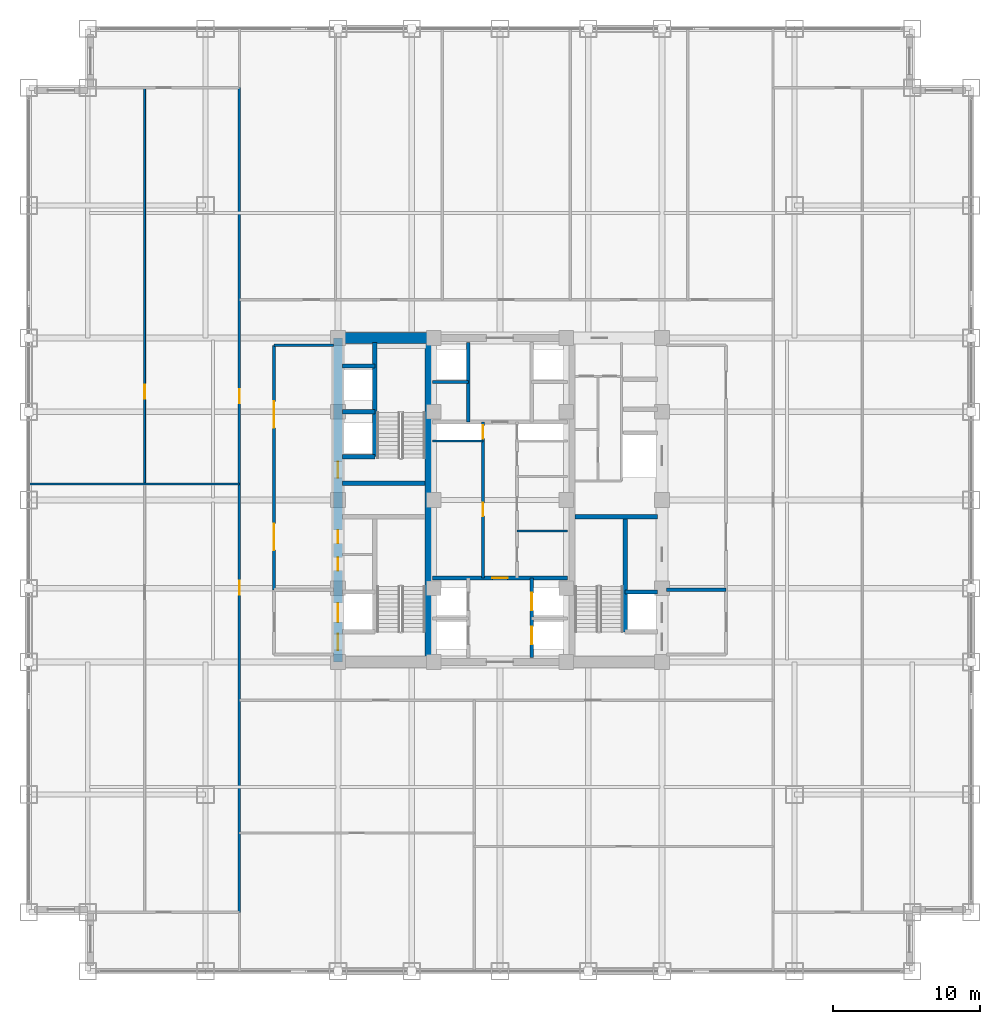
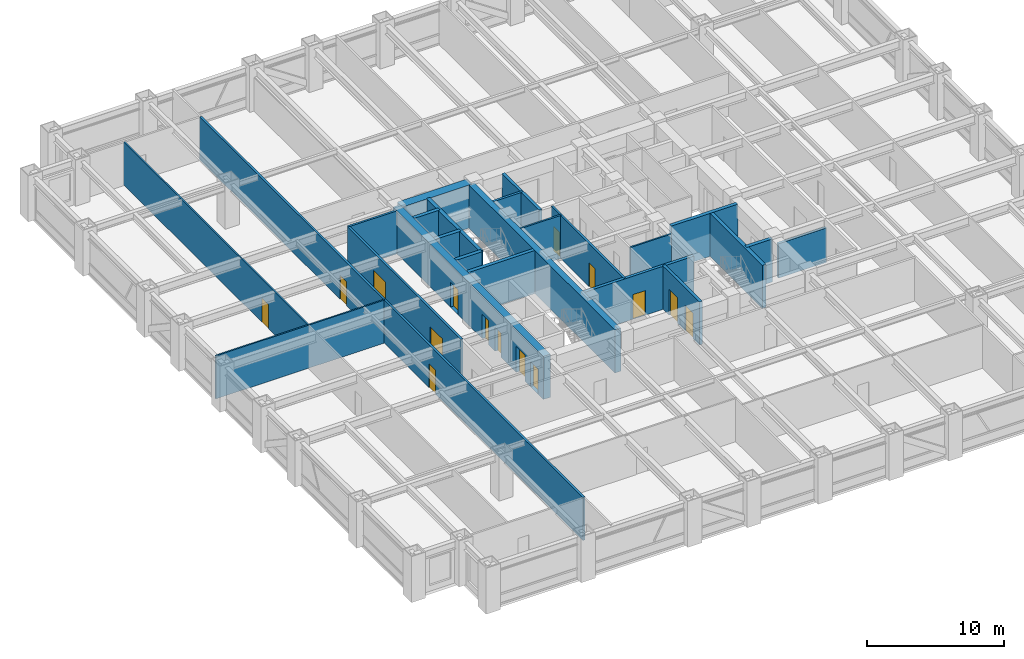
# One storey, part 24 of 27: 24 walls, 15 doors, 15 openings.
"""IFC4 building model written with IfcOpenShell, lengths in metres."""

from ifc_helpers import new_model, si_unit, direction, frame, frame_2d, origin, place, context, subcontext, project, spatial, rectangle, extrude, source, transform, mapped, material, layer, layer_set, type_object, element, fill, save


model = new_model("IFC4")

# Units and contexts
model_context = context("Model", 3, precision=1e-05, world=origin(), true_north=direction((0.0, 1.0)))
body_context = subcontext(model_context, "Body", "Model", "MODEL_VIEW")
ifc_project = project(units=[si_unit("LENGTHUNIT", "METRE"), si_unit("AREAUNIT", "SQUARE_METRE"), si_unit("VOLUMEUNIT", "CUBIC_METRE"), si_unit("PLANEANGLEUNIT", "RADIAN"), si_unit("MASSUNIT", "GRAM", prefix="KILO")], contexts=[model_context])

# Site, building, storey
site_placement = place(None, origin())
site = spatial("IfcSite", under=ifc_project, at=site_placement, CompositionType="ELEMENT")
building_placement = place(site_placement, origin())
building = spatial("IfcBuilding", under=site, at=building_placement, Name="Khorayat Bourse Tower", CompositionType="ELEMENT")
storey_placement = place(building_placement, frame((0.0, 0.0, 140.60009765625)))
storey = spatial("IfcBuildingStorey", under=building, at=storey_placement, Name="L32", CompositionType="ELEMENT", Elevation=140.60009765625)

# Wall, openings, doors
ifc_material_1 = material(Name="Concrete C60/75", Category="concrete")
ifc_layer_1 = layer(ifc_material_1, 0.60009765625)
ifc_layer_set_1 = layer_set([ifc_layer_1], Name="Concrete C60/75")
wall_type_1 = type_object("IfcWallType", Name="WAL-CORE-600", PredefinedType="SHEAR", material=ifc_layer_set_1)
shared_shape_1 = source(origin(), body_context, "Body", "SweptSolid", [
    extrude(rectangle(XDim=22.0, YDim=0.60009765625, at=frame_2d((11.0, 0.0))), origin(), (0.0, 0.0, 1.0), 3.83984375),
])
wall_1_placement = place(storey_placement, frame((-11.0, -11.0, 0.0), z_axis=(0.0, 0.0, 1.0), x_axis=(0.0, 1.0, 0.0)))
wall_1 = element("IfcWall", 1, at=wall_1_placement, inside=storey, type_object=wall_type_1, Name="L32 Core Shear Wall CORE-W", PredefinedType="SHEAR", context=body_context, shape_type="MappedRepresentation", body=[
    mapped(shared_shape_1, transform((0.0, 0.0, 0.0), scale=1.0)),
])
shared_shape_2 = source(origin(), body_context, "Body", "SweptSolid", [
    extrude(rectangle(XDim=1.10009765625, YDim=2.199951171875, at=frame_2d((0.550048828125, 1.10009765625))), frame((0.0, 0.31005859375, 0.0), z_axis=(0.0, -1.0, 0.0), x_axis=(1.0, 0.0, 0.0)), (0.0, 0.0, 1.0), 0.6201171875),
])
opening_1_placement = place(wall_1_placement, frame((0.800048828125, 0.0, 0.0)))
opening_1 = element("IfcOpeningElement", 2, at=opening_1_placement, cuts=wall_1, Name="Opening DI-01", PredefinedType="OPENING", context=body_context, shape_type="MappedRepresentation", body=[
    mapped(shared_shape_2, transform((0.0, 0.0, 0.0), scale=1.0)),
])
opening_2_placement = place(wall_1_placement, frame((12.5, 0.0, 0.0)))
opening_2 = element("IfcOpeningElement", 3, at=opening_2_placement, cuts=wall_1, Name="Opening DI-01", PredefinedType="OPENING", context=body_context, shape_type="MappedRepresentation", body=[
    mapped(shared_shape_2, transform((0.0, 0.0, 0.0), scale=1.0)),
])
shared_shape_3 = source(origin(), body_context, "Body", "SweptSolid", [
    extrude(rectangle(XDim=0.89990234375, YDim=2.14990234375, at=frame_2d((0.449951171875, 1.074951171875))), frame((0.0, 0.31005859375, 0.0), z_axis=(0.0, -1.0, 0.0), x_axis=(1.0, 0.0, 0.0)), (0.0, 0.0, 1.0), 0.6201171875),
])
opening_3_placement = place(wall_1_placement, frame((6.199951171875, 0.0, 0.0)))
opening_3 = element("IfcOpeningElement", 4, at=opening_3_placement, cuts=wall_1, Name="Opening DI-06", PredefinedType="OPENING", context=body_context, shape_type="MappedRepresentation", body=[
    mapped(shared_shape_3, transform((0.0, 0.0, 0.0), scale=1.0)),
])
opening_4_placement = place(wall_1_placement, frame((8.050048828125, 0.0, 0.0)))
opening_4 = element("IfcOpeningElement", 5, at=opening_4_placement, cuts=wall_1, Name="Opening DI-06", PredefinedType="OPENING", context=body_context, shape_type="MappedRepresentation", body=[
    mapped(shared_shape_3, transform((0.0, 0.0, 0.0), scale=1.0)),
])
shared_shape_4 = source(origin(), body_context, "Body", "SweptSolid", [
    extrude(rectangle(XDim=1.300048828125, YDim=2.300048828125, at=frame_2d((0.64990234375, 1.14990234375))), frame((0.0, 0.31005859375, 0.0), z_axis=(0.0, -1.0, 0.0), x_axis=(1.0, 0.0, 0.0)), (0.0, 0.0, 1.0), 0.6201171875),
])
opening_5_placement = place(wall_1_placement, frame((2.699951171875, 0.0, 0.0)))
opening_5 = element("IfcOpeningElement", 6, at=opening_5_placement, cuts=wall_1, Name="Opening LD-02", PredefinedType="OPENING", context=body_context, shape_type="MappedRepresentation", body=[
    mapped(shared_shape_4, transform((0.0, 0.0, 0.0), scale=1.0)),
])
ifc_material_2 = material(Name="Fire-rated steel acoustic leaf", Category="steel")
door_type_1 = type_object("IfcDoorType", Name="DR-INT-STAIR-1100", OperationType="NOTDEFINED", PredefinedType="DOOR", material=ifc_material_2)
shared_shape_5 = source(origin(), body_context, "Body", "SweptSolid", [
    extrude(rectangle(XDim=1.10009765625, YDim=2.199951171875, at=frame_2d((0.550048828125, 1.10009765625))), frame((0.0, 0.02490234375, 0.0), z_axis=(0.0, -1.0, 0.0), x_axis=(1.0, 0.0, 0.0)), (0.0, 0.0, 1.0), 0.050048828125),
])
door_1_placement = place(opening_1_placement, origin())
door_1 = element("IfcDoor", 7, at=door_1_placement, inside=storey, type_object=door_type_1, Name="L32 Exit Stair 1 Door", OperationType="SINGLE_SWING_RIGHT", OverallHeight=2.199951171875, OverallWidth=1.10009765625, PredefinedType="DOOR", context=body_context, shape_type="MappedRepresentation", body=[
    mapped(shared_shape_5, transform((0.0, 0.0, 0.0), scale=1.0)),
])
fill(opening_1, door_1)
door_2_placement = place(opening_2_placement, origin())
door_2 = element("IfcDoor", 8, at=door_2_placement, inside=storey, type_object=door_type_1, Name="L32 Exit Stair 2 Door", OperationType="SINGLE_SWING_RIGHT", OverallHeight=2.199951171875, OverallWidth=1.10009765625, PredefinedType="DOOR", context=body_context, shape_type="MappedRepresentation", body=[
    mapped(shared_shape_5, transform((0.0, 0.0, 0.0), scale=1.0)),
])
fill(opening_2, door_2)
ifc_material_3 = material(Name="Moisture-resistant laminate washroom door")
door_type_2 = type_object("IfcDoorType", Name="DR-INT-WC-900", OperationType="NOTDEFINED", PredefinedType="DOOR", material=ifc_material_3)
shared_shape_6 = source(origin(), body_context, "Body", "SweptSolid", [
    extrude(rectangle(XDim=0.89990234375, YDim=2.14990234375, at=frame_2d((0.449951171875, 1.074951171875))), frame((0.0, 0.02490234375, 0.0), z_axis=(0.0, -1.0, 0.0), x_axis=(1.0, 0.0, 0.0)), (0.0, 0.0, 1.0), 0.050048828125),
])
door_3_placement = place(opening_3_placement, origin())
door_3 = element("IfcDoor", 9, at=door_3_placement, inside=storey, type_object=door_type_2, Name="L32 Electrical Plant Room Door", OperationType="SINGLE_SWING_RIGHT", OverallHeight=2.14990234375, OverallWidth=0.89990234375, PredefinedType="DOOR", context=body_context, shape_type="MappedRepresentation", body=[
    mapped(shared_shape_6, transform((0.0, 0.0, 0.0), scale=1.0)),
])
fill(opening_3, door_3)
door_4_placement = place(opening_4_placement, origin())
door_4 = element("IfcDoor", 10, at=door_4_placement, inside=storey, type_object=door_type_2, Name="L32 Cleaner Storage Room Door", OperationType="SINGLE_SWING_LEFT", OverallHeight=2.14990234375, OverallWidth=0.89990234375, PredefinedType="DOOR", context=body_context, shape_type="MappedRepresentation", body=[
    mapped(shared_shape_6, transform((0.0, 0.0, 0.0), scale=1.0)),
])
fill(opening_4, door_4)
ifc_material_4 = material(Name="Fire-rated stainless-steel sliding landing door", Category="steel")
door_type_3 = type_object("IfcDoorType", Name="DR-LIFT-FF-1300", OperationType="NOTDEFINED", PredefinedType="DOOR", material=ifc_material_4)
shared_shape_7 = source(origin(), body_context, "Body", "SweptSolid", [
    extrude(rectangle(XDim=1.300048828125, YDim=2.300048828125, at=frame_2d((0.64990234375, 1.14990234375))), frame((0.0, 0.02490234375, 0.0), z_axis=(0.0, -1.0, 0.0), x_axis=(1.0, 0.0, 0.0)), (0.0, 0.0, 1.0), 0.050048828125),
])
door_5_placement = place(opening_5_placement, origin())
door_5 = element("IfcDoor", 11, at=door_5_placement, inside=storey, type_object=door_type_3, Name="L32 Lift FFL-01 Sliding Landing Door", OperationType="SLIDING_TO_LEFT", OverallHeight=2.300048828125, OverallWidth=1.300048828125, PredefinedType="DOOR", context=body_context, shape_type="MappedRepresentation", body=[
    mapped(shared_shape_7, transform((0.0, 0.0, 0.0), scale=1.0)),
])
fill(opening_5, door_5)

# Walls
ifc_material_5 = material(Name="Concrete C52/65", Category="concrete")
ifc_layer_2 = layer(ifc_material_5, 0.5)
ifc_layer_set_2 = layer_set([ifc_layer_2], Name="Concrete C52/65")
wall_type_2 = type_object("IfcWallType", Name="WAL-CORE-500", PredefinedType="SHEAR", material=ifc_layer_set_2)
shared_shape_8 = source(origin(), body_context, "Body", "SweptSolid", [
    extrude(rectangle(XDim=21.39990234375, YDim=0.5, at=frame_2d((10.699951171875, 0.0))), origin(), (0.0, 0.0, 1.0), 3.83984375),
])
wall_2_placement = place(storey_placement, frame((-4.85009765625, -10.699951171875, 0.0), z_axis=(0.0, 0.0, 1.0), x_axis=(0.0, 1.0, 0.0)))
element("IfcWall", 12, at=wall_2_placement, inside=storey, type_object=wall_type_2, Name="L32 Core Shear Wall PIER-W", PredefinedType="SHEAR", context=body_context, shape_type="MappedRepresentation", body=[
    mapped(shared_shape_8, transform((0.0, 0.0, 0.0), scale=1.0)),
])
ifc_material_6 = material(Name="Concrete C72/90", Category="concrete")
ifc_layer_3 = layer(ifc_material_6, 0.75)
ifc_layer_set_3 = layer_set([ifc_layer_3], Name="Concrete C72/90")
wall_type_3 = type_object("IfcWallType", Name="WAL-CORE-750", PredefinedType="SHEAR", material=ifc_layer_set_3)
shared_shape_9 = source(origin(), body_context, "Body", "SweptSolid", [
    extrude(rectangle(XDim=5.849853515625, YDim=0.75, at=frame_2d((2.9248046875, 0.0))), origin(), (0.0, 0.0, 1.0), 3.83984375),
])
wall_3_placement = place(storey_placement, frame((-10.699951171875, 11.0, 0.0), z_axis=(0.0, 0.0, 1.0), x_axis=(1.0, 0.0, 0.0)))
element("IfcWall", 13, at=wall_3_placement, inside=storey, type_object=wall_type_3, Name="L32 Core Shear Wall PIER-WN", PredefinedType="SHEAR", context=body_context, shape_type="MappedRepresentation", body=[
    mapped(shared_shape_9, transform((0.0, 0.0, 0.0), scale=1.0)),
])
ifc_material_7 = material(Name="Concrete C50/60", Category="concrete")
ifc_layer_4 = layer(ifc_material_7, 0.300048828125)
ifc_layer_set_4 = layer_set([ifc_layer_4], Name="Concrete C50/60")
wall_type_4 = type_object("IfcWallType", Name="WAL-SHAFT-300", PredefinedType="SHEAR", material=ifc_layer_set_4)
shared_shape_10 = source(origin(), body_context, "Body", "SweptSolid", [
    extrude(rectangle(XDim=5.599853515625, YDim=0.300048828125, at=frame_2d((2.7998046875, 0.0))), origin(), (0.0, 0.0, 1.0), 3.83984375),
])
for number, where, z_axis, x_axis, name in (
    (14, (-10.699951171875, 1.14990234375, 0.0), (0.0, 0.0, 1.0), (1.0, 0.0, 0.0), "L32 Core Shear Wall ST2-DIV"),
    (15, (5.10009765625, -1.14990234375, 0.0), (0.0, 0.0, 1.0), (1.0, 0.0, 0.0), "L32 Core Shear Wall ST3-DIV"),
):
    element("IfcWall", number, at=place(storey_placement, frame(where, z_axis=z_axis, x_axis=x_axis)), inside=storey, type_object=wall_type_4, Name=name, PredefinedType="SHEAR", context=body_context, shape_type="MappedRepresentation", body=[
        mapped(shared_shape_10, transform((0.0, 0.0, 0.0), scale=1.0)),
    ])
ifc_material_8 = material(Name="Aerated concrete blockwork", Category="masonry")
ifc_layer_5 = layer(ifc_material_8, 0.219970703125)
ifc_layer_set_5 = layer_set([ifc_layer_5], Name="Aerated concrete blockwork")
wall_type_5 = type_object("IfcWallType", Name="WAL-PART-FF-220", PredefinedType="PARTITIONING", material=ifc_layer_set_5)
shared_shape_11 = source(origin(), body_context, "Body", "SweptSolid", [
    extrude(rectangle(XDim=4.050048828125, YDim=0.219970703125, at=frame_2d((2.02490234375, 0.0))), origin(), (0.0, 0.0, 1.0), 3.06689453125),
])
wall_4_placement = place(storey_placement, frame((11.300048828125, -6.10009765625, 0.0), z_axis=(0.0, 0.0, 1.0), x_axis=(1.0, 0.0, 0.0)))
element("IfcWall", 16, at=wall_4_placement, inside=storey, type_object=wall_type_5, Name="L32 Partition WAL-L32-FFLE-N", PredefinedType="PARTITIONING", context=body_context, shape_type="MappedRepresentation", body=[
    mapped(shared_shape_11, transform((0.0, 0.0, 0.0), scale=1.0)),
])
shared_shape_12 = source(origin(), body_context, "Body", "SweptSolid", [
    extrude(rectangle(XDim=7.800048828125, YDim=0.300048828125, at=frame_2d((3.89990234375, 0.0))), origin(), (0.0, 0.0, 1.0), 3.83984375),
])
wall_5_placement = place(storey_placement, frame((8.5, -8.949951171875, 0.0), z_axis=(0.0, 0.0, 1.0), x_axis=(0.0, 1.0, 0.0)))
element("IfcWall", 17, at=wall_5_placement, inside=storey, type_object=wall_type_4, Name="L32 Partition WAL-L32-EPIER-SP", PredefinedType="SHEAR", context=body_context, shape_type="MappedRepresentation", body=[
    mapped(shared_shape_12, transform((0.0, 0.0, 0.0), scale=1.0)),
])
shared_shape_13 = source(origin(), body_context, "Body", "SweptSolid", [
    extrude(rectangle(XDim=2.199951171875, YDim=0.300048828125, at=frame_2d((1.10009765625, 0.0))), origin(), (0.0, 0.0, 1.0), 3.83984375),
])
for number, where, z_axis, x_axis, name in (
    (18, (-10.699951171875, 2.949951171875, 0.0), (0.0, 0.0, 1.0), (1.0, 0.0, 0.0), "L32 Partition WAL-L32-WPIER-H1S"),
    (19, (-10.699951171875, 6.0, 0.0), (0.0, 0.0, 1.0), (1.0, 0.0, 0.0), "L32 Partition WAL-L32-WPIER-H12"),
    (20, (-10.699951171875, 9.10009765625, 0.0), (0.0, 0.0, 1.0), (1.0, 0.0, 0.0), "L32 Partition WAL-L32-WPIER-H2N"),
    (21, (8.5, -6.25, 0.0), (0.0, 0.0, 1.0), (1.0, 0.0, 0.0), "L32 Partition WAL-L32-EPIER-FF2N"),
):
    element("IfcWall", number, at=place(storey_placement, frame(where, z_axis=z_axis, x_axis=x_axis)), inside=storey, type_object=wall_type_4, Name=name, PredefinedType="SHEAR", context=body_context, shape_type="MappedRepresentation", body=[
        mapped(shared_shape_13, transform((0.0, 0.0, 0.0), scale=1.0)),
    ])
shared_shape_14 = source(origin(), body_context, "Body", "SweptSolid", [
    extrude(rectangle(XDim=7.75, YDim=0.300048828125, at=frame_2d((3.875, 0.0))), origin(), (0.0, 0.0, 1.0), 3.83984375),
])
wall_6_placement = place(storey_placement, frame((-8.5, 2.949951171875, 0.0), z_axis=(0.0, 0.0, 1.0), x_axis=(0.0, 1.0, 0.0)))
element("IfcWall", 22, at=wall_6_placement, inside=storey, type_object=wall_type_4, Name="L32 Partition WAL-L32-WPIER-ST2S", PredefinedType="SHEAR", context=body_context, shape_type="MappedRepresentation", body=[
    mapped(shared_shape_14, transform((0.0, 0.0, 0.0), scale=1.0)),
])
ifc_material_9 = material(Name="Gypsum plasterboard acoustic stud wall")
ifc_layer_6 = layer(ifc_material_9, 0.179931640625)
ifc_layer_set_6 = layer_set([ifc_layer_6], Name="Gypsum plasterboard acoustic stud wall")
wall_type_6 = type_object("IfcWallType", Name="WAL-PART-CORR-180", PredefinedType="PARTITIONING", material=ifc_layer_set_6)
shared_shape_15 = source(origin(), body_context, "Body", "SweptSolid", [
    extrude(rectangle(XDim=4.050048828125, YDim=0.179931640625, at=frame_2d((2.02490234375, 0.0))), origin(), (0.0, 0.0, 1.0), 3.83984375),
])
wall_7_placement = place(storey_placement, frame((-15.35009765625, 10.5, 0.0), z_axis=(0.0, 0.0, 1.0), x_axis=(1.0, 0.0, 0.0)))
element("IfcWall", 23, at=wall_7_placement, inside=storey, type_object=wall_type_6, Name="L32 Partition WAL-L32-WLOB-N", PredefinedType="PARTITIONING", context=body_context, shape_type="MappedRepresentation", body=[
    mapped(shared_shape_15, transform((0.0, 0.0, 0.0), scale=1.0)),
])

# Wall, openings, doors
shared_shape_16 = source(origin(), body_context, "Body", "SweptSolid", [
    extrude(rectangle(XDim=16.60009765625, YDim=0.179931640625, at=frame_2d((8.300048828125, 0.0))), origin(), (0.0, 0.0, 1.0), 3.83984375),
])
wall_8_placement = place(storey_placement, frame((-15.35009765625, -6.10009765625, 0.0), z_axis=(0.0, 0.0, 1.0), x_axis=(0.0, 1.0, 0.0)))
wall_8 = element("IfcWall", 24, at=wall_8_placement, inside=storey, type_object=wall_type_6, Name="L32 Partition WAL-L32-WLOB-W", PredefinedType="PARTITIONING", context=body_context, shape_type="MappedRepresentation", body=[
    mapped(shared_shape_16, transform((0.0, 0.0, 0.0), scale=1.0)),
])
shared_shape_17 = source(origin(), body_context, "Body", "SweptSolid", [
    extrude(rectangle(XDim=1.800048828125, YDim=2.25, at=frame_2d((0.89990234375, 1.125))), frame((0.0, 0.099853515625, 0.0), z_axis=(0.0, -1.0, 0.0), x_axis=(1.0, 0.0, 0.0)), (0.0, 0.0, 1.0), 0.199951171875),
])
opening_6_placement = place(wall_8_placement, frame((2.699951171875, 0.0, 0.0)))
opening_6 = element("IfcOpeningElement", 25, at=opening_6_placement, cuts=wall_8, Name="Opening DI-03", PredefinedType="OPENING", context=body_context, shape_type="MappedRepresentation", body=[
    mapped(shared_shape_17, transform((0.0, 0.0, 0.0), scale=1.0)),
])
opening_7_placement = place(wall_8_placement, frame((11.0, 0.0, 0.0)))
opening_7 = element("IfcOpeningElement", 26, at=opening_7_placement, cuts=wall_8, Name="Opening DI-03", PredefinedType="OPENING", context=body_context, shape_type="MappedRepresentation", body=[
    mapped(shared_shape_17, transform((0.0, 0.0, 0.0), scale=1.0)),
])
ifc_material_10 = material(Name="Fire-rated hardwood vision-panel double leaf", Category="wood")
door_type_4 = type_object("IfcDoorType", Name="DR-INT-CORR-1800", OperationType="NOTDEFINED", PredefinedType="DOOR", material=ifc_material_10)
shared_shape_18 = source(origin(), body_context, "Body", "SweptSolid", [
    extrude(rectangle(XDim=1.800048828125, YDim=2.25, at=frame_2d((0.89990234375, 1.125))), frame((0.0, 0.02490234375, 0.0), z_axis=(0.0, -1.0, 0.0), x_axis=(1.0, 0.0, 0.0)), (0.0, 0.0, 1.0), 0.050048828125),
])
door_6_placement = place(opening_6_placement, origin())
door_6 = element("IfcDoor", 27, at=door_6_placement, inside=storey, type_object=door_type_4, Name="L32 West Core Lobby South Door", OperationType="SINGLE_SWING_LEFT", OverallHeight=2.25, OverallWidth=1.800048828125, PredefinedType="DOOR", context=body_context, shape_type="MappedRepresentation", body=[
    mapped(shared_shape_18, transform((0.0, 0.0, 0.0), scale=1.0)),
])
fill(opening_6, door_6)
door_7_placement = place(opening_7_placement, origin())
door_7 = element("IfcDoor", 28, at=door_7_placement, inside=storey, type_object=door_type_4, Name="L32 West Core Lobby North Door", OperationType="SINGLE_SWING_RIGHT", OverallHeight=2.25, OverallWidth=1.800048828125, PredefinedType="DOOR", context=body_context, shape_type="MappedRepresentation", body=[
    mapped(shared_shape_18, transform((0.0, 0.0, 0.0), scale=1.0)),
])
fill(opening_7, door_7)

# Wall
ifc_material_11 = material(Name="Gypsum plasterboard twin-frame partition")
ifc_layer_7 = layer(ifc_material_11, 0.14990234375)
ifc_layer_set_7 = layer_set([ifc_layer_7], Name="Gypsum plasterboard twin-frame partition")
wall_type_7 = type_object("IfcWallType", Name="WAL-PART-SUITE-150", PredefinedType="PARTITIONING", material=ifc_layer_set_7)
shared_shape_19 = source(origin(), body_context, "Body", "SweptSolid", [
    extrude(rectangle(XDim=3.4501953125, YDim=0.14990234375, at=frame_2d((1.72509765625, 0.0))), origin(), (0.0, 0.0, 1.0), 3.83984375),
])
wall_9_placement = place(storey_placement, frame((-4.60009765625, 4.0, 0.0), z_axis=(0.0, 0.0, 1.0), x_axis=(1.0, 0.0, 0.0)))
element("IfcWall", 29, at=wall_9_placement, inside=storey, type_object=wall_type_7, Name="L32 Partition WAL-L32-CRSW-S", PredefinedType="PARTITIONING", context=body_context, shape_type="MappedRepresentation", body=[
    mapped(shared_shape_19, transform((0.0, 0.0, 0.0), scale=1.0)),
])

# Wall, openings, doors
shared_shape_20 = source(origin(), body_context, "Body", "SweptSolid", [
    extrude(rectangle(XDim=5.39990234375, YDim=0.25, at=frame_2d((2.699951171875, 0.0))), origin(), (0.0, 0.0, 1.0), 3.83984375),
])
wall_10_placement = place(storey_placement, frame((2.14990234375, -10.699951171875, 0.0), z_axis=(0.0, 0.0, 1.0), x_axis=(0.0, 1.0, 0.0)))
wall_10 = element("IfcWall", 30, at=wall_10_placement, inside=storey, type_object=wall_type_4, Name="L32 Partition WAL-L32-B1-E", PredefinedType="SHEAR", context=body_context, shape_type="MappedRepresentation", body=[
    mapped(shared_shape_20, transform((0.0, 0.0, 0.0), scale=1.0)),
])
shared_shape_21 = source(origin(), body_context, "Body", "SweptSolid", [
    extrude(rectangle(XDim=1.199951171875, YDim=2.300048828125, at=frame_2d((0.60009765625, 1.14990234375))), frame((0.0, 0.135009765625, 0.0), z_axis=(0.0, -1.0, 0.0), x_axis=(1.0, 0.0, 0.0)), (0.0, 0.0, 1.0), 0.27001953125),
])
opening_8_placement = place(wall_10_placement, frame((0.89990234375, 0.0, 0.0)))
opening_8 = element("IfcOpeningElement", 31, at=opening_8_placement, cuts=wall_10, Name="Opening LD-01", PredefinedType="OPENING", context=body_context, shape_type="MappedRepresentation", body=[
    mapped(shared_shape_21, transform((0.0, 0.0, 0.0), scale=1.0)),
])
opening_9_placement = place(wall_10_placement, frame((3.199951171875, 0.0, 0.0)))
opening_9 = element("IfcOpeningElement", 32, at=opening_9_placement, cuts=wall_10, Name="Opening LD-01", PredefinedType="OPENING", context=body_context, shape_type="MappedRepresentation", body=[
    mapped(shared_shape_21, transform((0.0, 0.0, 0.0), scale=1.0)),
])
ifc_material_12 = material(Name="Brushed bronze stainless-steel sliding door", Category="steel")
door_type_5 = type_object("IfcDoorType", Name="DR-LIFT-PASS-1200", OperationType="NOTDEFINED", PredefinedType="DOOR", material=ifc_material_12)
shared_shape_22 = source(origin(), body_context, "Body", "SweptSolid", [
    extrude(rectangle(XDim=1.199951171875, YDim=2.300048828125, at=frame_2d((0.60009765625, 1.14990234375))), frame((0.0, 0.02490234375, 0.0), z_axis=(0.0, -1.0, 0.0), x_axis=(1.0, 0.0, 0.0)), (0.0, 0.0, 1.0), 0.050048828125),
])
door_8_placement = place(opening_8_placement, origin())
door_8 = element("IfcDoor", 33, at=door_8_placement, inside=storey, type_object=door_type_5, Name="L32 Lift PL-L2 Sliding Landing Door", OperationType="SLIDING_TO_LEFT", OverallHeight=2.300048828125, OverallWidth=1.199951171875, PredefinedType="DOOR", context=body_context, shape_type="MappedRepresentation", body=[
    mapped(shared_shape_22, transform((0.0, 0.0, 0.0), scale=1.0)),
])
fill(opening_8, door_8)
door_9_placement = place(opening_9_placement, origin())
door_9 = element("IfcDoor", 34, at=door_9_placement, inside=storey, type_object=door_type_5, Name="L32 Lift PL-L4 Sliding Landing Door", OperationType="SLIDING_TO_LEFT", OverallHeight=2.300048828125, OverallWidth=1.199951171875, PredefinedType="DOOR", context=body_context, shape_type="MappedRepresentation", body=[
    mapped(shared_shape_22, transform((0.0, 0.0, 0.0), scale=1.0)),
])
fill(opening_9, door_9)

# Walls
wall_11_placement = place(storey_placement, frame((-2.14990234375, 5.300048828125, 0.0), z_axis=(0.0, 0.0, 1.0), x_axis=(0.0, 1.0, 0.0)))
element("IfcWall", 35, at=wall_11_placement, inside=storey, type_object=wall_type_4, Name="L32 Partition WAL-L32-B2-W", PredefinedType="SHEAR", context=body_context, shape_type="MappedRepresentation", body=[
    mapped(shared_shape_20, transform((0.0, 0.0, 0.0), scale=1.0)),
])
shared_shape_23 = source(origin(), body_context, "Body", "SweptSolid", [
    extrude(rectangle(XDim=2.4501953125, YDim=0.199951171875, at=frame_2d((1.22509765625, 0.0))), origin(), (0.0, 0.0, 1.0), 3.83984375),
])
wall_12_placement = place(storey_placement, frame((-4.60009765625, 8.0, 0.0), z_axis=(0.0, 0.0, 1.0), x_axis=(1.0, 0.0, 0.0)))
element("IfcWall", 36, at=wall_12_placement, inside=storey, type_object=wall_type_4, Name="L32 Partition WAL-L32-B2-MW", PredefinedType="SHEAR", context=body_context, shape_type="MappedRepresentation", body=[
    mapped(shared_shape_23, transform((0.0, 0.0, 0.0), scale=1.0)),
])

# Wall, opening, door
shared_shape_24 = source(origin(), body_context, "Body", "SweptSolid", [
    extrude(rectangle(XDim=9.2001953125, YDim=0.25, at=frame_2d((4.60009765625, 0.0))), origin(), (0.0, 0.0, 1.0), 3.83984375),
])
wall_13_placement = place(storey_placement, frame((-4.60009765625, -5.300048828125, 0.0), z_axis=(0.0, 0.0, 1.0), x_axis=(1.0, 0.0, 0.0)))
wall_13 = element("IfcWall", 37, at=wall_13_placement, inside=storey, type_object=wall_type_4, Name="L32 Partition WAL-L32-B1-N", PredefinedType="SHEAR", context=body_context, shape_type="MappedRepresentation", body=[
    mapped(shared_shape_24, transform((0.0, 0.0, 0.0), scale=1.0)),
])
shared_shape_25 = source(origin(), body_context, "Body", "SweptSolid", [
    extrude(rectangle(XDim=1.050048828125, YDim=2.199951171875, at=frame_2d((0.52490234375, 1.10009765625))), frame((0.0, 0.135009765625, 0.0), z_axis=(0.0, -1.0, 0.0), x_axis=(1.0, 0.0, 0.0)), (0.0, 0.0, 1.0), 0.27001953125),
])
opening_10_placement = place(wall_13_placement, frame((4.074951171875, 0.0, 0.0)))
opening_10 = element("IfcOpeningElement", 38, at=opening_10_placement, cuts=wall_13, Name="Opening DI-04", PredefinedType="OPENING", context=body_context, shape_type="MappedRepresentation", body=[
    mapped(shared_shape_25, transform((0.0, 0.0, 0.0), scale=1.0)),
])
ifc_material_13 = material(Name="Fire-rated oak veneer suite entrance door")
door_type_6 = type_object("IfcDoorType", Name="DR-INT-SUITE-1050", OperationType="NOTDEFINED", PredefinedType="DOOR", material=ifc_material_13)
shared_shape_26 = source(origin(), body_context, "Body", "SweptSolid", [
    extrude(rectangle(XDim=1.050048828125, YDim=2.199951171875, at=frame_2d((0.52490234375, 1.10009765625))), frame((0.0, 0.02490234375, 0.0), z_axis=(0.0, -1.0, 0.0), x_axis=(1.0, 0.0, 0.0)), (0.0, 0.0, 1.0), 0.050048828125),
])
door_10_placement = place(opening_10_placement, origin())
door_10 = element("IfcDoor", 39, at=door_10_placement, inside=storey, type_object=door_type_6, Name="L32 Core Spine South Door", OperationType="SINGLE_SWING_LEFT", OverallHeight=2.199951171875, OverallWidth=1.050048828125, PredefinedType="DOOR", context=body_context, shape_type="MappedRepresentation", body=[
    mapped(shared_shape_26, transform((0.0, 0.0, 0.0), scale=1.0)),
])
fill(opening_10, door_10)

# Wall, openings, doors
shared_shape_27 = source(origin(), body_context, "Body", "SweptSolid", [
    extrude(rectangle(XDim=10.60009765625, YDim=0.179931640625, at=frame_2d((5.300048828125, 0.0))), origin(), (0.0, 0.0, 1.0), 3.83984375),
])
wall_14_placement = place(storey_placement, frame((-1.14990234375, -5.300048828125, 0.0), z_axis=(0.0, 0.0, 1.0), x_axis=(0.0, 1.0, 0.0)))
wall_14 = element("IfcWall", 40, at=wall_14_placement, inside=storey, type_object=wall_type_6, Name="L32 Partition WAL-L32-CMW-L", PredefinedType="PARTITIONING", context=body_context, shape_type="MappedRepresentation", body=[
    mapped(shared_shape_27, transform((0.0, 0.0, 0.0), scale=1.0)),
])
shared_shape_28 = source(origin(), body_context, "Body", "SweptSolid", [
    extrude(rectangle(XDim=0.89990234375, YDim=2.14990234375, at=frame_2d((0.449951171875, 1.074951171875))), frame((0.0, 0.099853515625, 0.0), z_axis=(0.0, -1.0, 0.0), x_axis=(1.0, 0.0, 0.0)), (0.0, 0.0, 1.0), 0.199951171875),
])
opening_11_placement = place(wall_14_placement, frame((4.199951171875, 0.0, 0.0)))
opening_11 = element("IfcOpeningElement", 41, at=opening_11_placement, cuts=wall_14, Name="Opening DI-06", PredefinedType="OPENING", context=body_context, shape_type="MappedRepresentation", body=[
    mapped(shared_shape_28, transform((0.0, 0.0, 0.0), scale=1.0)),
])
opening_12_placement = place(wall_14_placement, frame((9.47509765625, 0.0, 0.0)))
opening_12 = element("IfcOpeningElement", 42, at=opening_12_placement, cuts=wall_14, Name="Opening DI-06", PredefinedType="OPENING", context=body_context, shape_type="MappedRepresentation", body=[
    mapped(shared_shape_28, transform((0.0, 0.0, 0.0), scale=1.0)),
])
door_11_placement = place(opening_11_placement, origin())
door_11 = element("IfcDoor", 43, at=door_11_placement, inside=storey, type_object=door_type_2, Name="L32 Male Core Washroom Door", OperationType="SINGLE_SWING_RIGHT", OverallHeight=2.14990234375, OverallWidth=0.89990234375, PredefinedType="DOOR", context=body_context, shape_type="MappedRepresentation", body=[
    mapped(shared_shape_6, transform((0.0, 0.0, 0.0), scale=1.0)),
])
fill(opening_11, door_11)
door_12_placement = place(opening_12_placement, origin())
door_12 = element("IfcDoor", 44, at=door_12_placement, inside=storey, type_object=door_type_2, Name="L32 West Core Riser Door", OperationType="SINGLE_SWING_LEFT", OverallHeight=2.14990234375, OverallWidth=0.89990234375, PredefinedType="DOOR", context=body_context, shape_type="MappedRepresentation", body=[
    mapped(shared_shape_6, transform((0.0, 0.0, 0.0), scale=1.0)),
])
fill(opening_12, door_12)

# Walls
ifc_material_14 = material(Name="Moisture-resistant masonry partition", Category="masonry")
ifc_layer_8 = layer(ifc_material_14, 0.139892578125)
ifc_layer_set_8 = layer_set([ifc_layer_8], Name="Moisture-resistant masonry partition")
wall_type_8 = type_object("IfcWallType", Name="WAL-PART-WET-140", PredefinedType="PARTITIONING", material=ifc_layer_set_8)
shared_shape_29 = source(origin(), body_context, "Body", "SweptSolid", [
    extrude(rectangle(XDim=3.4501953125, YDim=0.139892578125, at=frame_2d((1.72509765625, 0.0))), origin(), (0.0, 0.0, 1.0), 3.83984375),
])
wall_15_placement = place(storey_placement, frame((1.14990234375, -2.10009765625, 0.0), z_axis=(0.0, 0.0, 1.0), x_axis=(1.0, 0.0, 0.0)))
element("IfcWall", 45, at=wall_15_placement, inside=storey, type_object=wall_type_8, Name="L32 Partition WAL-L32-CME-D1", PredefinedType="PARTITIONING", context=body_context, shape_type="MappedRepresentation", body=[
    mapped(shared_shape_29, transform((0.0, 0.0, 0.0), scale=1.0)),
])
ifc_material_15 = material(Name="Gypsum plasterboard partition")
ifc_layer_9 = layer(ifc_material_15, 0.125)
ifc_layer_set_9 = layer_set([ifc_layer_9], Name="Gypsum plasterboard partition")
wall_type_9 = type_object("IfcWallType", Name="WAL-PART-ROOM-125", PredefinedType="PARTITIONING", material=ifc_layer_set_9)
shared_shape_30 = source(origin(), body_context, "Body", "SweptSolid", [
    extrude(rectangle(XDim=14.300048828125, YDim=0.125, at=frame_2d((7.14990234375, 0.0))), origin(), (0.0, 0.0, 1.0), 3.83984375),
])
wall_16_placement = place(storey_placement, frame((-32.0, 1.087890625, 0.0), z_axis=(0.0, 0.0, 1.0), x_axis=(1.0, 0.0, 0.0)))
element("IfcWall", 46, at=wall_16_placement, inside=storey, type_object=wall_type_9, Name="L32 Partition WAL-L32-WDV-1", PredefinedType="PARTITIONING", context=body_context, shape_type="MappedRepresentation", body=[
    mapped(shared_shape_30, transform((0.0, 0.0, 0.0), scale=1.0)),
])

# Wall, openings, doors
shared_shape_31 = source(origin(), body_context, "Body", "SweptSolid", [
    extrude(rectangle(XDim=56.0, YDim=0.179931640625, at=frame_2d((28.0, 0.0))), origin(), (0.0, 0.0, 1.0), 3.83984375),
])
wall_17_placement = place(storey_placement, frame((-17.699951171875, -28.0, 0.0), z_axis=(0.0, 0.0, 1.0), x_axis=(0.0, 1.0, 0.0)))
wall_17 = element("IfcWall", 47, at=wall_17_placement, inside=storey, type_object=wall_type_6, Name="L32 Partition WAL-L32-WCORR", PredefinedType="PARTITIONING", context=body_context, shape_type="MappedRepresentation", body=[
    mapped(shared_shape_31, transform((0.0, 0.0, 0.0), scale=1.0)),
])
shared_shape_32 = source(origin(), body_context, "Body", "SweptSolid", [
    extrude(rectangle(XDim=0.949951171875, YDim=2.14990234375, at=frame_2d((0.47509765625, 1.074951171875))), frame((0.0, 0.099853515625, 0.0), z_axis=(0.0, -1.0, 0.0), x_axis=(1.0, 0.0, 0.0)), (0.0, 0.0, 1.0), 0.199951171875),
])
opening_13_placement = place(wall_17_placement, frame((21.569091796875, 0.0, 0.0)))
opening_13 = element("IfcOpeningElement", 48, at=opening_13_placement, cuts=wall_17, Name="Opening DI-05", PredefinedType="OPENING", context=body_context, shape_type="MappedRepresentation", body=[
    mapped(shared_shape_32, transform((0.0, 0.0, 0.0), scale=1.0)),
])
opening_14_placement = place(wall_17_placement, frame((34.569091796875, 0.0, 0.0)))
opening_14 = element("IfcOpeningElement", 49, at=opening_14_placement, cuts=wall_17, Name="Opening DI-05", PredefinedType="OPENING", context=body_context, shape_type="MappedRepresentation", body=[
    mapped(shared_shape_32, transform((0.0, 0.0, 0.0), scale=1.0)),
])
ifc_material_16 = material(Name="Acoustic oak veneer office door")
door_type_7 = type_object("IfcDoorType", Name="DR-INT-OFFICE-950", OperationType="NOTDEFINED", PredefinedType="DOOR", material=ifc_material_16)
shared_shape_33 = source(origin(), body_context, "Body", "SweptSolid", [
    extrude(rectangle(XDim=0.949951171875, YDim=2.14990234375, at=frame_2d((0.47509765625, 1.074951171875))), frame((0.0, 0.02490234375, 0.0), z_axis=(0.0, -1.0, 0.0), x_axis=(1.0, 0.0, 0.0)), (0.0, 0.0, 1.0), 0.050048828125),
])
door_13_placement = place(opening_13_placement, origin())
door_13 = element("IfcDoor", 50, at=door_13_placement, inside=storey, type_object=door_type_7, Name="L32 Clearing Operations Office W1 Door", OperationType="SINGLE_SWING_RIGHT", OverallHeight=2.14990234375, OverallWidth=0.949951171875, PredefinedType="DOOR", context=body_context, shape_type="MappedRepresentation", body=[
    mapped(shared_shape_33, transform((0.0, 0.0, 0.0), scale=1.0)),
])
fill(opening_13, door_13)
door_14_placement = place(opening_14_placement, origin())
door_14 = element("IfcDoor", 51, at=door_14_placement, inside=storey, type_object=door_type_7, Name="L32 Clearing Records Archive Store W2 Door", OperationType="SINGLE_SWING_LEFT", OverallHeight=2.14990234375, OverallWidth=0.949951171875, PredefinedType="DOOR", context=body_context, shape_type="MappedRepresentation", body=[
    mapped(shared_shape_33, transform((0.0, 0.0, 0.0), scale=1.0)),
])
fill(opening_14, door_14)

# Wall, opening, door
shared_shape_34 = source(origin(), body_context, "Body", "SweptSolid", [
    extrude(rectangle(XDim=26.912109375, YDim=0.125, at=frame_2d((13.4560546875, 0.0))), origin(), (0.0, 0.0, 1.0), 3.83984375),
])
wall_18_placement = place(storey_placement, frame((-24.135009765625, 1.087890625, 0.0), z_axis=(0.0, 0.0, 1.0), x_axis=(0.0, 1.0, 0.0)))
wall_18 = element("IfcWall", 52, at=wall_18_placement, inside=storey, type_object=wall_type_9, Name="L32 Partition WAL-L32-WDP-2", PredefinedType="PARTITIONING", context=body_context, shape_type="MappedRepresentation", body=[
    mapped(shared_shape_34, transform((0.0, 0.0, 0.0), scale=1.0)),
])
shared_shape_35 = source(origin(), body_context, "Body", "SweptSolid", [
    extrude(rectangle(XDim=0.949951171875, YDim=2.14990234375, at=frame_2d((0.47509765625, 1.074951171875))), frame((0.0, 0.072509765625, 0.0), z_axis=(0.0, -1.0, 0.0), x_axis=(1.0, 0.0, 0.0)), (0.0, 0.0, 1.0), 0.14501953125),
])
opening_15_placement = place(wall_18_placement, frame((5.781005859375, 0.0, 0.0)))
opening_15 = element("IfcOpeningElement", 53, at=opening_15_placement, cuts=wall_18, Name="Opening DI-05", PredefinedType="OPENING", context=body_context, shape_type="MappedRepresentation", body=[
    mapped(shared_shape_35, transform((0.0, 0.0, 0.0), scale=1.0)),
])
door_15_placement = place(opening_15_placement, origin())
door_15 = element("IfcDoor", 54, at=door_15_placement, inside=storey, type_object=door_type_7, Name="L32 Members Exchange Lounge W2B Door", OperationType="SINGLE_SWING_LEFT", OverallHeight=2.14990234375, OverallWidth=0.949951171875, PredefinedType="DOOR", context=body_context, shape_type="MappedRepresentation", body=[
    mapped(shared_shape_33, transform((0.0, 0.0, 0.0), scale=1.0)),
])
fill(opening_15, door_15)

save(model, "model.ifc")
